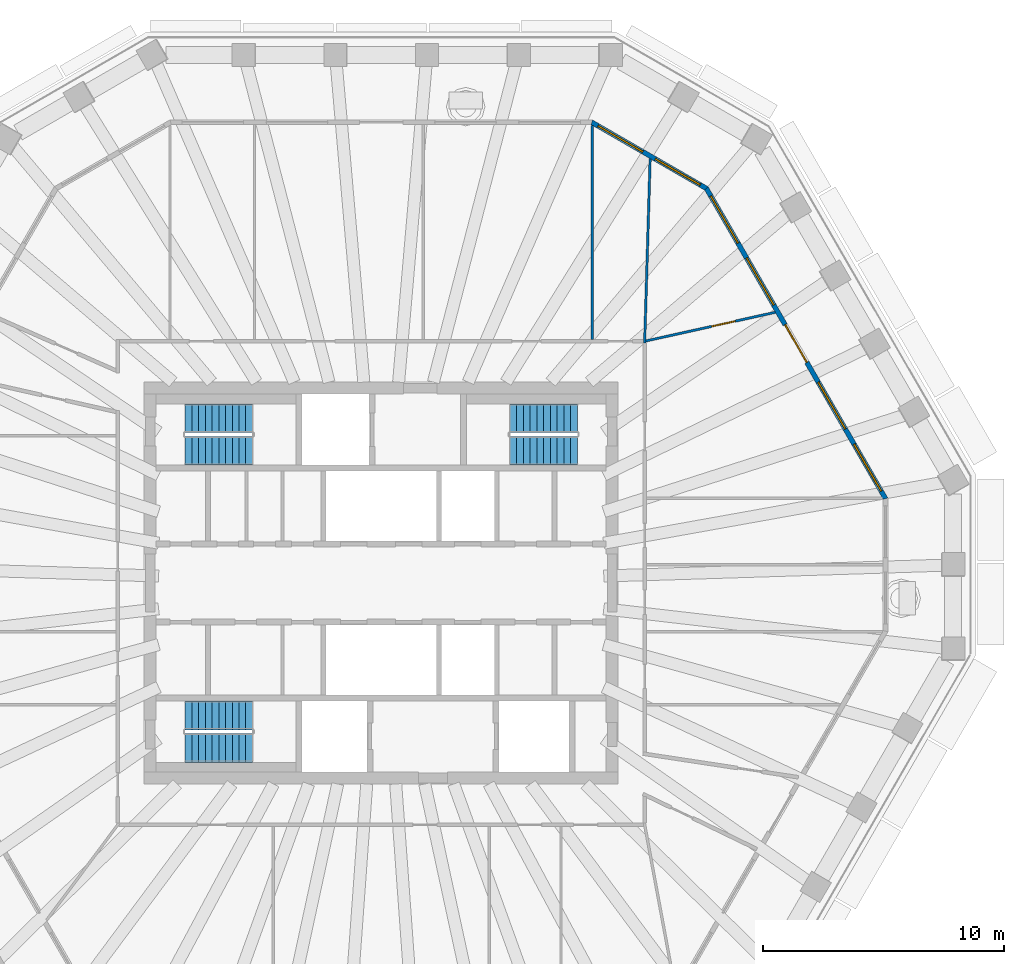
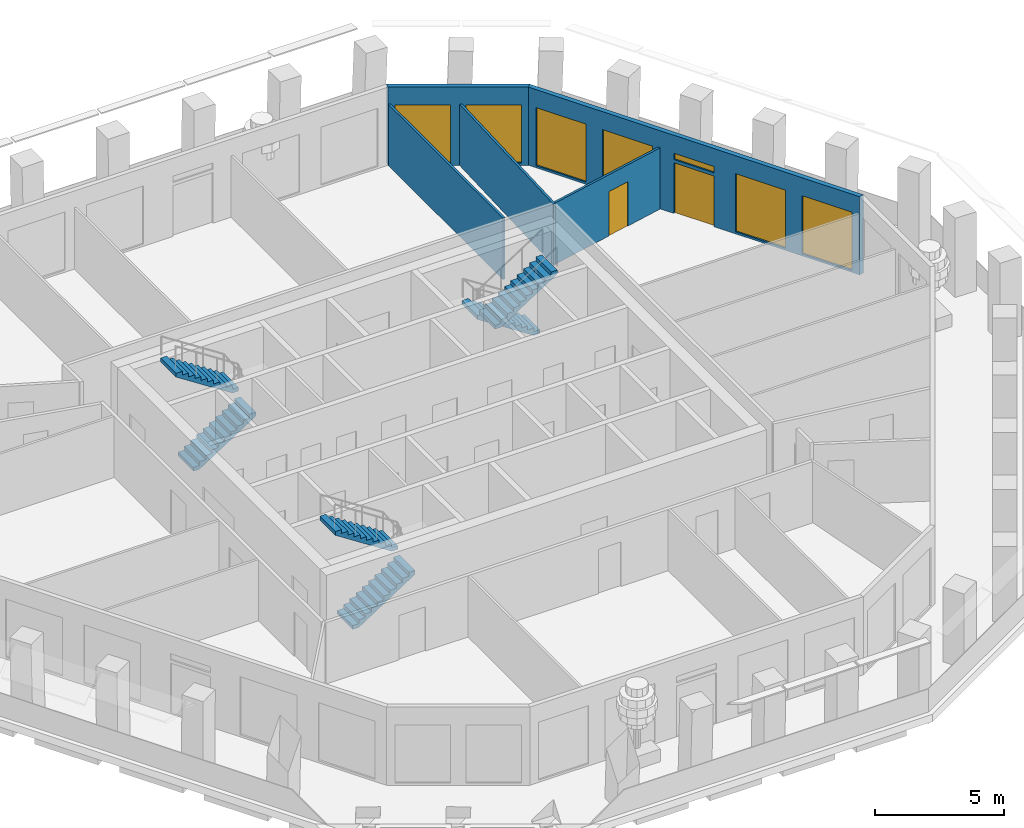
# One storey, part 7 of 11: 7 windows, 6 stair flights, 5 walls, 2 doors, 9 openings, 3 elements without a shape of their own.
"""IFC4 building model written with IfcOpenShell, lengths in metres."""

from ifc_helpers import new_model, si_unit, direction, frame, frame_2d, origin, place, context, subcontext, project, spatial, polyline, rectangle, outline, extrude, material, layer, layer_set, type_object, element, fill, aggregate, save


model = new_model("IFC4")

# Units and contexts
model_context = context("Model", 3, precision=1e-05, world=origin(), true_north=direction((0.0, 1.0)))
body_context = subcontext(model_context, "Body", "Model", "MODEL_VIEW")
ifc_project = project(units=[si_unit("LENGTHUNIT", "METRE"), si_unit("AREAUNIT", "SQUARE_METRE"), si_unit("VOLUMEUNIT", "CUBIC_METRE"), si_unit("PLANEANGLEUNIT", "RADIAN"), si_unit("MASSUNIT", "GRAM", prefix="KILO")], contexts=[model_context])

# Site, building, storey
site_placement = place(None, origin())
site = spatial("IfcSite", under=ifc_project, at=site_placement, CompositionType="ELEMENT")
building_placement = place(site_placement, origin())
building = spatial("IfcBuilding", under=site, at=building_placement, Name="Frailejon Research Tower", CompositionType="ELEMENT")
storey_placement = place(building_placement, frame((0.0, 0.0, 287.0)))
storey = spatial("IfcBuildingStorey", under=building, at=storey_placement, Name="L63", CompositionType="ELEMENT", Elevation=287.0)

# Wall, opening, door
ifc_material_1 = material(Name="Gypsum board and masonry partition", Category="masonry")
ifc_layer_1 = layer(ifc_material_1, 0.10009765625)
ifc_layer_set_1 = layer_set([ifc_layer_1], Name="Partition, gypsum on steel studs 100")
wall_type_1 = type_object("IfcWallType", Name="Partition, gypsum on steel studs 100", PredefinedType="PARTITIONING", material=ifc_layer_set_1)
wall_1_placement = place(storey_placement, frame((10.998779296875, 10.060791015625, 0.0), z_axis=(0.0, 0.0, 1.0), x_axis=(0.976347529328, 0.216207081233, 0.0)))
wall_1 = element("IfcWall", 1, at=wall_1_placement, inside=storey, type_object=wall_type_1, Name="T:IW:L63:013", PredefinedType="PARTITIONING", context=body_context, shape_type="SweptSolid", body=[
    extrude(rectangle(XDim=5.503662109375, YDim=0.10009765625, at=frame_2d((2.751953125, 0.0))), origin(), (0.0, 0.0, 1.0), 2.89990234375),
])
opening_1_placement = place(wall_1_placement, frame((2.804931640625, 0.0, 0.0)))
opening_1 = element("IfcOpeningElement", 2, at=opening_1_placement, cuts=wall_1, Name="Opening D2207", PredefinedType="OPENING", context=body_context, shape_type="SweptSolid", body=[
    extrude(rectangle(XDim=1.0, YDim=2.10009765625, at=frame_2d((0.5, 1.050048828125))), frame((0.0, 0.06005859375, 0.0), z_axis=(0.0, -1.0, 0.0), x_axis=(1.0, 0.0, 0.0)), (0.0, 0.0, 1.0), 0.1201171875),
])
ifc_material_2 = material(Name="Timber door leaf", Category="wood")
door_type_1 = type_object("IfcDoorType", Name="Door single leaf, timber, steel frame 1000", OperationType="NOTDEFINED", PredefinedType="DOOR", material=ifc_material_2)
door_1_placement = place(opening_1_placement, origin())
door_1 = element("IfcDoor", 3, at=door_1_placement, inside=storey, type_object=door_type_1, Name="D2207", OperationType="SINGLE_SWING_LEFT", OverallHeight=2.10009765625, OverallWidth=1.0, PredefinedType="DOOR", context=body_context, shape_type="SweptSolid", body=[
    extrude(rectangle(XDim=1.0, YDim=2.10009765625, at=frame_2d((0.5, 1.050048828125))), frame((0.0, 0.02490234375, 0.0), z_axis=(0.0, -1.0, 0.0), x_axis=(1.0, 0.0, 0.0)), (0.0, 0.0, 1.0), 0.050048828125),
])
fill(opening_1, door_1)

# Walls
wall_2_placement = place(storey_placement, frame((10.94775390625, 9.97509765625, 0.0), z_axis=(0.0, 0.0, 1.0), x_axis=(0.029792316329, 0.999556110425, 0.0)))
element("IfcWall", 4, at=wall_2_placement, inside=storey, type_object=wall_type_1, Name="T:IW:L63:014", PredefinedType="PARTITIONING", context=body_context, shape_type="SweptSolid", body=[
    extrude(rectangle(XDim=7.662109375, YDim=0.10009765625, at=frame_2d((3.8310546875, 0.0))), origin(), (0.0, 0.0, 1.0), 2.89990234375),
])
wall_3_placement = place(storey_placement, frame((8.776611328125, 10.125, 0.0), z_axis=(0.0, 0.0, 1.0), x_axis=(0.0, 1.0, 0.0)))
element("IfcWall", 5, at=wall_3_placement, inside=storey, type_object=wall_type_1, Name="T:IW:L63:015", PredefinedType="PARTITIONING", context=body_context, shape_type="SweptSolid", body=[
    extrude(rectangle(XDim=8.89404296875, YDim=0.10009765625, at=frame_2d((4.447021484375, 0.0))), origin(), (0.0, 0.0, 1.0), 2.89990234375),
])

# Wall, openings, door, windows
ifc_material_3 = material(Name="Concrete C40/50 precast window wall panel", Category="concrete")
ifc_layer_2 = layer(ifc_material_3, 0.199951171875)
ifc_layer_set_2 = layer_set([ifc_layer_2], Name="Window wall 200")
wall_type_2 = type_object("IfcWallType", Name="Window wall 200", PredefinedType="SOLIDWALL", material=ifc_layer_set_2)
wall_4_placement = place(storey_placement, frame((20.959228515625, 3.505859375, 0.0), z_axis=(0.0, 0.0, 1.0), x_axis=(-0.499998331335, 0.866026367187, 0.0)))
wall_4 = element("IfcWall", 6, at=wall_4_placement, inside=storey, type_object=wall_type_2, Name="Exterior wall L63", PredefinedType="SOLIDWALL", context=body_context, shape_type="SweptSolid", body=[
    extrude(outline(polyline([(-0.02685546875, -0.10009765625), (1.040283203125, -0.10009765625), (2.107421875, -0.10009765625), (3.174560546875, -0.10009765625), (4.241943359375, -0.10009765625), (5.30908203125, -0.10009765625), (6.376220703125, -0.10009765625), (7.443359375, -0.10009765625), (8.510498046875, -0.10009765625), (9.57763671875, -0.10009765625), (10.644775390625, -0.10009765625), (11.712158203125, -0.10009765625), (12.779296875, -0.10009765625), (13.846435546875, -0.10009765625), (14.91357421875, -0.10009765625), (14.85986328125, 0.10009765625), (13.80029296875, 0.10009765625), (12.740966796875, 0.10009765625), (11.681396484375, 0.10009765625), (10.621826171875, 0.10009765625), (9.562255859375, 0.10009765625), (8.5029296875, 0.10009765625), (7.443359375, 0.10009765625), (6.3837890625, 0.10009765625), (5.324462890625, 0.10009765625), (4.264892578125, 0.10009765625), (3.205322265625, 0.10009765625), (2.145751953125, 0.10009765625), (1.08642578125, 0.10009765625), (0.02685546875, 0.10009765625), (-0.02685546875, -0.10009765625)])), origin(), (0.0, 0.0, 1.0), 3.699951171875),
])
opening_2_placement = place(wall_4_placement, frame((0.36376953125, 0.0, 0.10009765625)))
opening_2 = element("IfcOpeningElement", 7, at=opening_2_placement, cuts=wall_4, Name="Opening W23", PredefinedType="OPENING", context=body_context, shape_type="SweptSolid", body=[
    extrude(rectangle(XDim=2.25, YDim=2.75, at=frame_2d((1.125, 1.375))), frame((0.0, 0.10986328125, 0.0), z_axis=(0.0, -1.0, 0.0), x_axis=(1.0, 0.0, 0.0)), (0.0, 0.0, 1.0), 0.219970703125),
])
opening_3_placement = place(wall_4_placement, frame((3.341064453125, 0.0, 0.10009765625)))
opening_3 = element("IfcOpeningElement", 8, at=opening_3_placement, cuts=wall_4, Name="Opening W23", PredefinedType="OPENING", context=body_context, shape_type="SweptSolid", body=[
    extrude(rectangle(XDim=2.25, YDim=2.75, at=frame_2d((1.125, 1.375))), frame((0.0, 0.10986328125, 0.0), z_axis=(0.0, -1.0, 0.0), x_axis=(1.0, 0.0, 0.0)), (0.0, 0.0, 1.0), 0.219970703125),
])
opening_4_placement = place(wall_4_placement, frame((6.54345703125, 0.0, 0.0)))
opening_4 = element("IfcOpeningElement", 9, at=opening_4_placement, cuts=wall_4, Name="Opening LG63-1", PredefinedType="OPENING", context=body_context, shape_type="SweptSolid", body=[
    extrude(rectangle(XDim=1.800048828125, YDim=2.39990234375, at=frame_2d((0.89990234375, 1.199951171875))), frame((0.0, 0.10986328125, 0.0), z_axis=(0.0, -1.0, 0.0), x_axis=(1.0, 0.0, 0.0)), (0.0, 0.0, 1.0), 0.219970703125),
])
opening_5_placement = place(wall_4_placement, frame((6.54345703125, 0.0, 2.550048828125)))
opening_5 = element("IfcOpeningElement", 10, at=opening_5_placement, cuts=wall_4, Name="Opening W24", PredefinedType="OPENING", context=body_context, shape_type="SweptSolid", body=[
    extrude(rectangle(XDim=1.800048828125, YDim=0.300048828125, at=frame_2d((0.89990234375, 0.14990234375))), frame((0.0, 0.10986328125, 0.0), z_axis=(0.0, -1.0, 0.0), x_axis=(1.0, 0.0, 0.0)), (0.0, 0.0, 1.0), 0.219970703125),
])
opening_6_placement = place(wall_4_placement, frame((9.2958984375, 0.0, 0.10009765625)))
opening_6 = element("IfcOpeningElement", 11, at=opening_6_placement, cuts=wall_4, Name="Opening W23", PredefinedType="OPENING", context=body_context, shape_type="SweptSolid", body=[
    extrude(rectangle(XDim=2.25, YDim=2.75, at=frame_2d((1.125, 1.375))), frame((0.0, 0.10986328125, 0.0), z_axis=(0.0, -1.0, 0.0), x_axis=(1.0, 0.0, 0.0)), (0.0, 0.0, 1.0), 0.219970703125),
])
opening_7_placement = place(wall_4_placement, frame((12.273193359375, 0.0, 0.10009765625)))
opening_7 = element("IfcOpeningElement", 12, at=opening_7_placement, cuts=wall_4, Name="Opening W23", PredefinedType="OPENING", context=body_context, shape_type="SweptSolid", body=[
    extrude(rectangle(XDim=2.25, YDim=2.75, at=frame_2d((1.125, 1.375))), frame((0.0, 0.10986328125, 0.0), z_axis=(0.0, -1.0, 0.0), x_axis=(1.0, 0.0, 0.0)), (0.0, 0.0, 1.0), 0.219970703125),
])
ifc_material_4 = material(Name="Aluminium framed glazed door leaf", Category="aluminium")
door_type_2 = type_object("IfcDoorType", Name="Loggia door 1800x2400", OperationType="DOUBLE_DOOR_SINGLE_SWING", PredefinedType="DOOR", material=ifc_material_4)
door_2_placement = place(opening_4_placement, origin())
door_2 = element("IfcDoor", 13, at=door_2_placement, inside=storey, type_object=door_type_2, Name="Door LG63-1", OperationType="DOUBLE_DOOR_SINGLE_SWING", OverallHeight=2.39990234375, OverallWidth=1.800048828125, PredefinedType="DOOR", context=body_context, shape_type="SweptSolid", body=[
    extrude(rectangle(XDim=1.800048828125, YDim=2.39990234375, at=frame_2d((0.89990234375, 1.199951171875))), frame((0.0, 0.02490234375, 0.0), z_axis=(0.0, -1.0, 0.0), x_axis=(1.0, 0.0, 0.0)), (0.0, 0.0, 1.0), 0.050048828125),
])
fill(opening_4, door_2)
ifc_material_5 = material(Name="Aluminium framed double glazing", Category="aluminium")
window_type_1 = type_object("IfcWindowType", Name="Window 1800x300", PartitioningType="SINGLE_PANEL", PredefinedType="WINDOW", material=ifc_material_5)
window_1_placement = place(opening_5_placement, origin())
window_1 = element("IfcWindow", 14, at=window_1_placement, inside=storey, type_object=window_type_1, Name="Window L63", OverallHeight=0.300048828125, OverallWidth=1.800048828125, PartitioningType="SINGLE_PANEL", PredefinedType="WINDOW", context=body_context, shape_type="SweptSolid", body=[
    extrude(rectangle(XDim=1.800048828125, YDim=0.300048828125, at=frame_2d((0.89990234375, 0.14990234375))), frame((0.0, 0.030029296875, 0.0), z_axis=(0.0, -1.0, 0.0), x_axis=(1.0, 0.0, 0.0)), (0.0, 0.0, 1.0), 0.06005859375),
])
fill(opening_5, window_1)
ifc_material_6 = material(Name="Aluminium framed double glazing", Category="aluminium")
window_type_2 = type_object("IfcWindowType", Name="Window 2250x2750", PartitioningType="SINGLE_PANEL", PredefinedType="WINDOW", material=ifc_material_6)
window_2_placement = place(opening_2_placement, origin())
window_2 = element("IfcWindow", 15, at=window_2_placement, inside=storey, type_object=window_type_2, Name="Window L63", OverallHeight=2.75, OverallWidth=2.25, PartitioningType="SINGLE_PANEL", PredefinedType="WINDOW", context=body_context, shape_type="SweptSolid", body=[
    extrude(rectangle(XDim=2.25, YDim=2.75, at=frame_2d((1.125, 1.375))), frame((0.0, 0.030029296875, 0.0), z_axis=(0.0, -1.0, 0.0), x_axis=(1.0, 0.0, 0.0)), (0.0, 0.0, 1.0), 0.06005859375),
])
fill(opening_2, window_2)
window_3_placement = place(opening_3_placement, origin())
window_3 = element("IfcWindow", 16, at=window_3_placement, inside=storey, type_object=window_type_2, Name="Window L63", OverallHeight=2.75, OverallWidth=2.25, PartitioningType="SINGLE_PANEL", PredefinedType="WINDOW", context=body_context, shape_type="SweptSolid", body=[
    extrude(rectangle(XDim=2.25, YDim=2.75, at=frame_2d((1.125, 1.375))), frame((0.0, 0.030029296875, 0.0), z_axis=(0.0, -1.0, 0.0), x_axis=(1.0, 0.0, 0.0)), (0.0, 0.0, 1.0), 0.06005859375),
])
fill(opening_3, window_3)
window_4_placement = place(opening_6_placement, origin())
window_4 = element("IfcWindow", 17, at=window_4_placement, inside=storey, type_object=window_type_2, Name="Window L63", OverallHeight=2.75, OverallWidth=2.25, PartitioningType="SINGLE_PANEL", PredefinedType="WINDOW", context=body_context, shape_type="SweptSolid", body=[
    extrude(rectangle(XDim=2.25, YDim=2.75, at=frame_2d((1.125, 1.375))), frame((0.0, 0.030029296875, 0.0), z_axis=(0.0, -1.0, 0.0), x_axis=(1.0, 0.0, 0.0)), (0.0, 0.0, 1.0), 0.06005859375),
])
fill(opening_6, window_4)
window_5_placement = place(opening_7_placement, origin())
window_5 = element("IfcWindow", 18, at=window_5_placement, inside=storey, type_object=window_type_2, Name="Window L63", OverallHeight=2.75, OverallWidth=2.25, PartitioningType="SINGLE_PANEL", PredefinedType="WINDOW", context=body_context, shape_type="SweptSolid", body=[
    extrude(rectangle(XDim=2.25, YDim=2.75, at=frame_2d((1.125, 1.375))), frame((0.0, 0.030029296875, 0.0), z_axis=(0.0, -1.0, 0.0), x_axis=(1.0, 0.0, 0.0)), (0.0, 0.0, 1.0), 0.06005859375),
])
fill(opening_7, window_5)

# Wall, openings, windows
wall_5_placement = place(storey_placement, frame((13.515869140625, 16.398193359375, 0.0), z_axis=(0.0, 0.0, 1.0), x_axis=(-0.866026017613, 0.499998936816, 0.0)))
wall_5 = element("IfcWall", 19, at=wall_5_placement, inside=storey, type_object=wall_type_2, Name="Exterior wall L63", PredefinedType="SOLIDWALL", context=body_context, shape_type="SweptSolid", body=[
    extrude(outline(polyline([(-0.02685546875, -0.10009765625), (1.08447265625, -0.10009765625), (2.196044921875, -0.10009765625), (3.307373046875, -0.10009765625), (4.4189453125, -0.10009765625), (5.5302734375, -0.10009765625), (5.4765625, 0.10009765625), (4.38671875, 0.10009765625), (3.296630859375, 0.10009765625), (2.206787109375, 0.10009765625), (1.11669921875, 0.10009765625), (0.02685546875, 0.10009765625), (-0.02685546875, -0.10009765625)])), origin(), (0.0, 0.0, 1.0), 3.699951171875),
])
opening_8_placement = place(wall_5_placement, frame((0.30078125, 0.0, 0.10009765625)))
opening_8 = element("IfcOpeningElement", 20, at=opening_8_placement, cuts=wall_5, Name="Opening W22", PredefinedType="OPENING", context=body_context, shape_type="SweptSolid", body=[
    extrude(rectangle(XDim=2.14990234375, YDim=2.75, at=frame_2d((1.074951171875, 1.375))), frame((0.0, 0.10986328125, 0.0), z_axis=(0.0, -1.0, 0.0), x_axis=(1.0, 0.0, 0.0)), (0.0, 0.0, 1.0), 0.219970703125),
])
opening_9_placement = place(wall_5_placement, frame((3.052490234375, 0.0, 0.10009765625)))
opening_9 = element("IfcOpeningElement", 21, at=opening_9_placement, cuts=wall_5, Name="Opening W22", PredefinedType="OPENING", context=body_context, shape_type="SweptSolid", body=[
    extrude(rectangle(XDim=2.14990234375, YDim=2.75, at=frame_2d((1.074951171875, 1.375))), frame((0.0, 0.10986328125, 0.0), z_axis=(0.0, -1.0, 0.0), x_axis=(1.0, 0.0, 0.0)), (0.0, 0.0, 1.0), 0.219970703125),
])
ifc_material_7 = material(Name="Aluminium framed double glazing", Category="aluminium")
window_type_3 = type_object("IfcWindowType", Name="Window 2150x2750", PartitioningType="SINGLE_PANEL", PredefinedType="WINDOW", material=ifc_material_7)
window_6_placement = place(opening_8_placement, origin())
window_6 = element("IfcWindow", 22, at=window_6_placement, inside=storey, type_object=window_type_3, Name="Window L63", OverallHeight=2.75, OverallWidth=2.14990234375, PartitioningType="SINGLE_PANEL", PredefinedType="WINDOW", context=body_context, shape_type="SweptSolid", body=[
    extrude(rectangle(XDim=2.14990234375, YDim=2.75, at=frame_2d((1.074951171875, 1.375))), frame((0.0, 0.030029296875, 0.0), z_axis=(0.0, -1.0, 0.0), x_axis=(1.0, 0.0, 0.0)), (0.0, 0.0, 1.0), 0.06005859375),
])
fill(opening_8, window_6)
window_7_placement = place(opening_9_placement, origin())
window_7 = element("IfcWindow", 23, at=window_7_placement, inside=storey, type_object=window_type_3, Name="Window L63", OverallHeight=2.75, OverallWidth=2.14990234375, PartitioningType="SINGLE_PANEL", PredefinedType="WINDOW", context=body_context, shape_type="SweptSolid", body=[
    extrude(rectangle(XDim=2.14990234375, YDim=2.75, at=frame_2d((1.074951171875, 1.375))), frame((0.0, 0.030029296875, 0.0), z_axis=(0.0, -1.0, 0.0), x_axis=(1.0, 0.0, 0.0)), (0.0, 0.0, 1.0), 0.06005859375),
])
fill(opening_9, window_7)

# Stair, stair flights
ifc_material_8 = material(Name="Concrete C50/60", Category="concrete")
stair_type = type_object("IfcStairType", Name="Exit stair 22 risers", PredefinedType="HALF_TURN_STAIR", material=ifc_material_8)
stair_1_placement = place(storey_placement, origin())
stair_1 = element("IfcStair", 24, at=stair_1_placement, inside=storey, type_object=stair_type, Name="L63 Exit stair ST1", PredefinedType="HALF_TURN_STAIR")
ifc_material_9 = material(Name="Concrete C50/60", Category="concrete")
ifc_layer_3 = layer(ifc_material_9, 0.14990234375)
ifc_layer_set_3 = layer_set([ifc_layer_3], Name="Stair flight 11 risers")
stair_flight_type = type_object("IfcStairFlightType", Name="Stair flight 11 risers", PredefinedType="STRAIGHT", material=ifc_layer_set_3)
stair_flight_1_placement = place(storey_placement, frame((-8.14990234375, 5.5, 0.0), z_axis=(0.0, 0.0, 1.0), x_axis=(1.0, 0.0, 0.0)))
stair_flight_1 = element("IfcStairFlight", 25, at=stair_flight_1_placement, type_object=stair_flight_type, Name="ST1 flight 1", NumberOfRisers=11, NumberOfTreads=10, PredefinedType="STRAIGHT", RiserHeight=0.181818182, TreadLength=0.28, context=body_context, shape_type="SweptSolid", body=[
    extrude(outline(polyline([(0.0, 0.0), (0.0, 0.181884765625), (0.280029296875, 0.181884765625), (0.280029296875, 0.363525390625), (0.56005859375, 0.363525390625), (0.56005859375, 0.54541015625), (0.840087890625, 0.54541015625), (0.840087890625, 0.727294921875), (1.1201171875, 0.727294921875), (1.1201171875, 0.9091796875), (1.39990234375, 0.9091796875), (1.39990234375, 1.0908203125), (1.679931640625, 1.0908203125), (1.679931640625, 1.272705078125), (1.9599609375, 1.272705078125), (1.9599609375, 1.45458984375), (2.239990234375, 1.45458984375), (2.239990234375, 1.636474609375), (2.52001953125, 1.636474609375), (2.52001953125, 1.818115234375), (2.800048828125, 1.818115234375), (2.800048828125, 2.0), (2.800048828125, 1.639404296875), (0.275146484375, 0.0), (0.0, 0.0)])), frame((0.0, 0.60009765625, 0.0), z_axis=(0.0, -1.0, 0.0), x_axis=(1.0, 0.0, 0.0)), (0.0, 0.0, 1.0), 1.199951171875),
])
stair_flight_2_placement = place(storey_placement, frame((-5.35009765625, 6.85009765625, 2.0), z_axis=(0.0, 0.0, 1.0), x_axis=(-1.0, 0.0, 0.0)))
stair_flight_2 = element("IfcStairFlight", 26, at=stair_flight_2_placement, type_object=stair_flight_type, Name="ST1 flight 2", NumberOfRisers=11, NumberOfTreads=10, PredefinedType="STRAIGHT", RiserHeight=0.181818182, TreadLength=0.28, context=body_context, shape_type="SweptSolid", body=[
    extrude(outline(polyline([(0.0, 0.0), (0.0, 0.181884765625), (0.280029296875, 0.181884765625), (0.280029296875, 0.363525390625), (0.56005859375, 0.363525390625), (0.56005859375, 0.54541015625), (0.840087890625, 0.54541015625), (0.840087890625, 0.727294921875), (1.1201171875, 0.727294921875), (1.1201171875, 0.9091796875), (1.39990234375, 0.9091796875), (1.39990234375, 1.0908203125), (1.679931640625, 1.0908203125), (1.679931640625, 1.272705078125), (1.9599609375, 1.272705078125), (1.9599609375, 1.45458984375), (2.239990234375, 1.45458984375), (2.239990234375, 1.636474609375), (2.52001953125, 1.636474609375), (2.52001953125, 1.818115234375), (2.800048828125, 1.818115234375), (2.800048828125, 2.0), (2.800048828125, 1.639404296875), (0.275146484375, 0.0), (0.0, 0.0)])), frame((0.0, 0.60009765625, 0.0), z_axis=(0.0, -1.0, 0.0), x_axis=(1.0, 0.0, 0.0)), (0.0, 0.0, 1.0), 1.199951171875),
])
aggregate(stair_1, [stair_flight_1, stair_flight_2])

stair_2_placement = place(storey_placement, origin())
stair_2 = element("IfcStair", 27, at=stair_2_placement, inside=storey, type_object=stair_type, Name="L63 Exit stair ST2", PredefinedType="HALF_TURN_STAIR")
stair_flight_3_placement = place(storey_placement, frame((-8.14990234375, -6.85009765625, 0.0), z_axis=(0.0, 0.0, 1.0), x_axis=(1.0, 0.0, 0.0)))
stair_flight_3 = element("IfcStairFlight", 28, at=stair_flight_3_placement, type_object=stair_flight_type, Name="ST2 flight 1", NumberOfRisers=11, NumberOfTreads=10, PredefinedType="STRAIGHT", RiserHeight=0.181818182, TreadLength=0.28, context=body_context, shape_type="SweptSolid", body=[
    extrude(outline(polyline([(0.0, 0.0), (0.0, 0.181884765625), (0.280029296875, 0.181884765625), (0.280029296875, 0.363525390625), (0.56005859375, 0.363525390625), (0.56005859375, 0.54541015625), (0.840087890625, 0.54541015625), (0.840087890625, 0.727294921875), (1.1201171875, 0.727294921875), (1.1201171875, 0.9091796875), (1.39990234375, 0.9091796875), (1.39990234375, 1.0908203125), (1.679931640625, 1.0908203125), (1.679931640625, 1.272705078125), (1.9599609375, 1.272705078125), (1.9599609375, 1.45458984375), (2.239990234375, 1.45458984375), (2.239990234375, 1.636474609375), (2.52001953125, 1.636474609375), (2.52001953125, 1.818115234375), (2.800048828125, 1.818115234375), (2.800048828125, 2.0), (2.800048828125, 1.639404296875), (0.275146484375, 0.0), (0.0, 0.0)])), frame((0.0, 0.60009765625, 0.0), z_axis=(0.0, -1.0, 0.0), x_axis=(1.0, 0.0, 0.0)), (0.0, 0.0, 1.0), 1.199951171875),
])
stair_flight_4_placement = place(storey_placement, frame((-5.35009765625, -5.5, 2.0), z_axis=(0.0, 0.0, 1.0), x_axis=(-1.0, 0.0, 0.0)))
stair_flight_4 = element("IfcStairFlight", 29, at=stair_flight_4_placement, type_object=stair_flight_type, Name="ST2 flight 2", NumberOfRisers=11, NumberOfTreads=10, PredefinedType="STRAIGHT", RiserHeight=0.181818182, TreadLength=0.28, context=body_context, shape_type="SweptSolid", body=[
    extrude(outline(polyline([(0.0, 0.0), (0.0, 0.181884765625), (0.280029296875, 0.181884765625), (0.280029296875, 0.363525390625), (0.56005859375, 0.363525390625), (0.56005859375, 0.54541015625), (0.840087890625, 0.54541015625), (0.840087890625, 0.727294921875), (1.1201171875, 0.727294921875), (1.1201171875, 0.9091796875), (1.39990234375, 0.9091796875), (1.39990234375, 1.0908203125), (1.679931640625, 1.0908203125), (1.679931640625, 1.272705078125), (1.9599609375, 1.272705078125), (1.9599609375, 1.45458984375), (2.239990234375, 1.45458984375), (2.239990234375, 1.636474609375), (2.52001953125, 1.636474609375), (2.52001953125, 1.818115234375), (2.800048828125, 1.818115234375), (2.800048828125, 2.0), (2.800048828125, 1.639404296875), (0.275146484375, 0.0), (0.0, 0.0)])), frame((0.0, 0.60009765625, 0.0), z_axis=(0.0, -1.0, 0.0), x_axis=(1.0, 0.0, 0.0)), (0.0, 0.0, 1.0), 1.199951171875),
])
aggregate(stair_2, [stair_flight_3, stair_flight_4])

stair_3_placement = place(storey_placement, origin())
stair_3 = element("IfcStair", 30, at=stair_3_placement, inside=storey, type_object=stair_type, Name="L63 Exit stair ST3", PredefinedType="HALF_TURN_STAIR")
stair_flight_5_placement = place(storey_placement, frame((8.14990234375, 6.85009765625, 0.0), z_axis=(0.0, 0.0, 1.0), x_axis=(-1.0, 0.0, 0.0)))
stair_flight_5 = element("IfcStairFlight", 31, at=stair_flight_5_placement, type_object=stair_flight_type, Name="ST3 flight 1", NumberOfRisers=11, NumberOfTreads=10, PredefinedType="STRAIGHT", RiserHeight=0.181818182, TreadLength=0.28, context=body_context, shape_type="SweptSolid", body=[
    extrude(outline(polyline([(0.0, 0.0), (0.0, 0.181884765625), (0.280029296875, 0.181884765625), (0.280029296875, 0.363525390625), (0.56005859375, 0.363525390625), (0.56005859375, 0.54541015625), (0.840087890625, 0.54541015625), (0.840087890625, 0.727294921875), (1.1201171875, 0.727294921875), (1.1201171875, 0.9091796875), (1.39990234375, 0.9091796875), (1.39990234375, 1.0908203125), (1.679931640625, 1.0908203125), (1.679931640625, 1.272705078125), (1.9599609375, 1.272705078125), (1.9599609375, 1.45458984375), (2.239990234375, 1.45458984375), (2.239990234375, 1.636474609375), (2.52001953125, 1.636474609375), (2.52001953125, 1.818115234375), (2.800048828125, 1.818115234375), (2.800048828125, 2.0), (2.800048828125, 1.639404296875), (0.275146484375, 0.0), (0.0, 0.0)])), frame((0.0, 0.60009765625, 0.0), z_axis=(0.0, -1.0, 0.0), x_axis=(1.0, 0.0, 0.0)), (0.0, 0.0, 1.0), 1.199951171875),
])
stair_flight_6_placement = place(storey_placement, frame((5.35009765625, 5.5, 2.0), z_axis=(0.0, 0.0, 1.0), x_axis=(1.0, 0.0, 0.0)))
stair_flight_6 = element("IfcStairFlight", 32, at=stair_flight_6_placement, type_object=stair_flight_type, Name="ST3 flight 2", NumberOfRisers=11, NumberOfTreads=10, PredefinedType="STRAIGHT", RiserHeight=0.181818182, TreadLength=0.28, context=body_context, shape_type="SweptSolid", body=[
    extrude(outline(polyline([(0.0, 0.0), (0.0, 0.181884765625), (0.280029296875, 0.181884765625), (0.280029296875, 0.363525390625), (0.56005859375, 0.363525390625), (0.56005859375, 0.54541015625), (0.840087890625, 0.54541015625), (0.840087890625, 0.727294921875), (1.1201171875, 0.727294921875), (1.1201171875, 0.9091796875), (1.39990234375, 0.9091796875), (1.39990234375, 1.0908203125), (1.679931640625, 1.0908203125), (1.679931640625, 1.272705078125), (1.9599609375, 1.272705078125), (1.9599609375, 1.45458984375), (2.239990234375, 1.45458984375), (2.239990234375, 1.636474609375), (2.52001953125, 1.636474609375), (2.52001953125, 1.818115234375), (2.800048828125, 1.818115234375), (2.800048828125, 2.0), (2.800048828125, 1.639404296875), (0.275146484375, 0.0), (0.0, 0.0)])), frame((0.0, 0.60009765625, 0.0), z_axis=(0.0, -1.0, 0.0), x_axis=(1.0, 0.0, 0.0)), (0.0, 0.0, 1.0), 1.199951171875),
])
aggregate(stair_3, [stair_flight_5, stair_flight_6])

save(model, "model.ifc")
